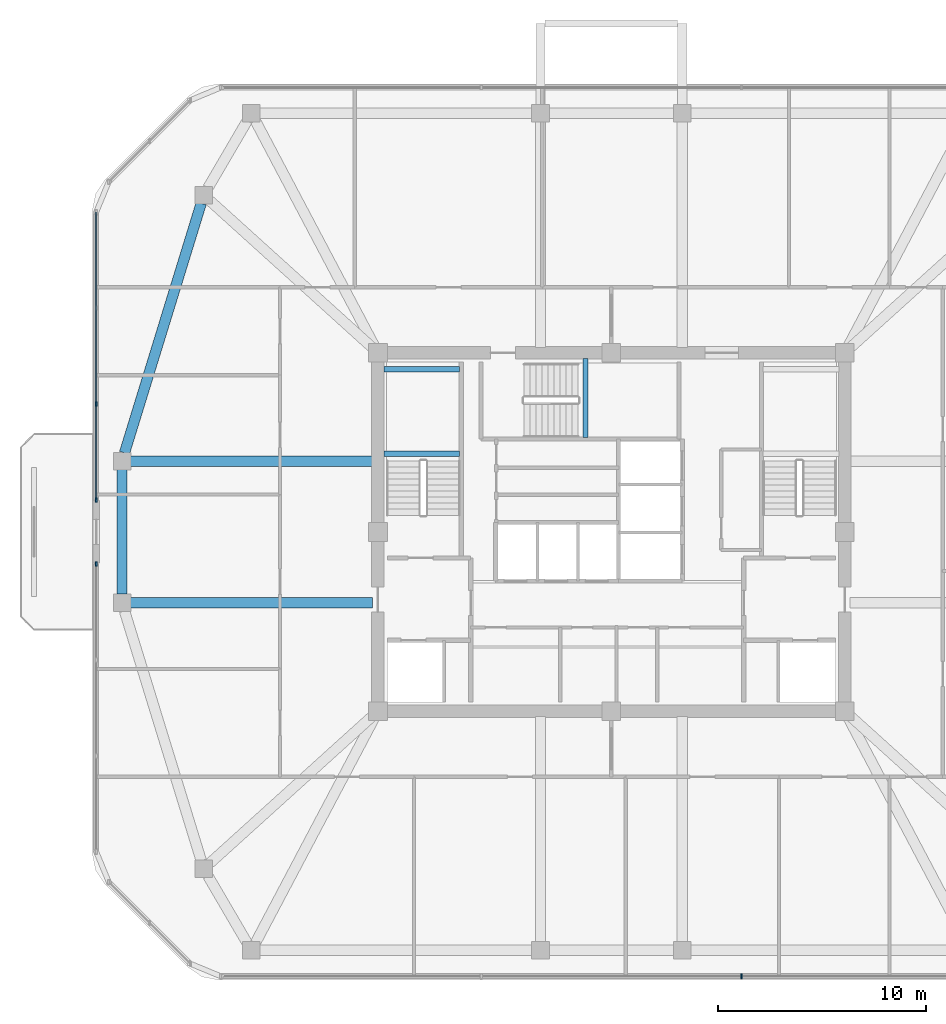
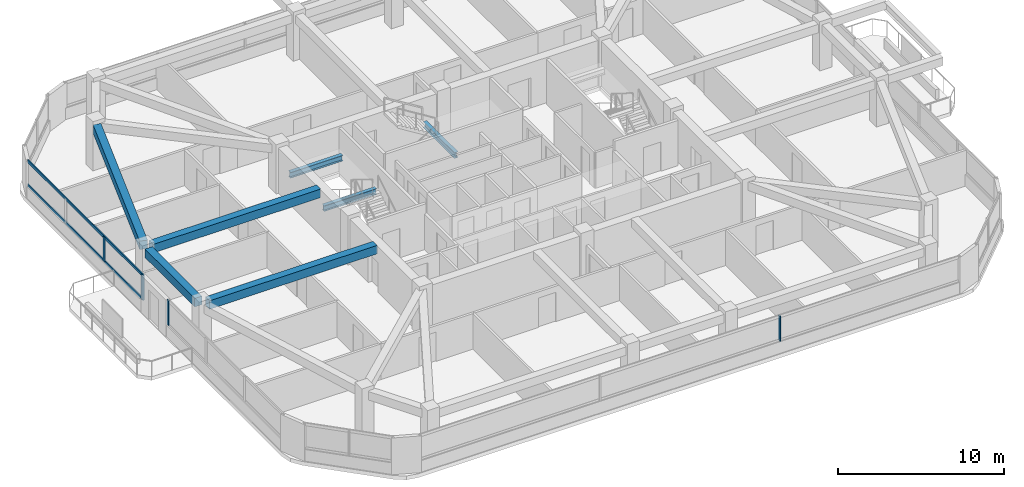
# One storey, part 4 of 14: 7 beams, 6 members, 3 elements without a shape of their own.
"""IFC4 building model written with IfcOpenShell, lengths in metres."""

from ifc_helpers import new_model, si_unit, derived_unit, direction, frame, origin, origin_2d, place, context, subcontext, project, spatial, rectangle, i_section, extrude, material, material_profile, profile_set, type_object, element, aggregate, save


model = new_model("IFC4")

# Units and contexts
model_context = context("Model", 3, precision=1e-05, world=origin(), true_north=direction((0.0, 1.0)))
body_context = subcontext(model_context, "Body", "Model", "MODEL_VIEW")
ifc_project = project(units=[si_unit("LENGTHUNIT", "METRE"), si_unit("AREAUNIT", "SQUARE_METRE"), si_unit("VOLUMEUNIT", "CUBIC_METRE"), si_unit("PLANEANGLEUNIT", "RADIAN"), si_unit("MASSUNIT", "GRAM", prefix="KILO"), derived_unit("THERMALTRANSMITTANCEUNIT", [(si_unit("POWERUNIT", "WATT"), 1), (si_unit("LENGTHUNIT", "METRE"), -2), (si_unit("THERMODYNAMICTEMPERATUREUNIT", "KELVIN"), -1)])], contexts=[model_context])

# Site, building, storey
site_placement = place(None, origin())
site = spatial("IfcSite", under=ifc_project, at=site_placement, CompositionType="ELEMENT")
building_placement = place(site_placement, origin())
building = spatial("IfcBuilding", under=site, at=building_placement, Name="Koralith Skygarden Medical Center", CompositionType="ELEMENT")
storey_placement = place(building_placement, frame((0.0, 0.0, 242.820068359375)))
storey = spatial("IfcBuildingStorey", under=building, at=storey_placement, Name="L62", CompositionType="ELEMENT", Elevation=242.820068359375)

# Curtain wall, member
ifc_material_1 = material(Name="Clear Laminated Glass", Category="glass")
curtain_wall_type = type_object("IfcCurtainWallType", Name="CW-6 Zone 5 Upper Clinical Curtain Wall", PredefinedType="NOTDEFINED", material=ifc_material_1)
curtain_wall_1_placement = place(storey_placement, origin())
curtain_wall_1 = element("IfcCurtainWall", 1, at=curtain_wall_1_placement, inside=storey, type_object=curtain_wall_type, Name="Curtain Wall CW-L62-S", PredefinedType="NOTDEFINED")
ifc_material_2 = material(Name="Aluminium 6063-T6", Category="aluminium")
ifc_material_profile_1 = material_profile(ifc_material_2, rectangle(XDim=0.0830078125, YDim=0.219970703125, at=origin_2d()), Name="MUL83X220")
ifc_profile_set_1 = profile_set([ifc_material_profile_1], Name="Aluminium 6063-T6")
member_type_1 = type_object("IfcMemberType", Name="CW-6 Extruded Mullion 83x220", PredefinedType="MULLION", material=ifc_profile_set_1)
member_1_placement = place(storey_placement, frame((43.248046875, 4.580078125, 0.849853515625), z_axis=(0.0, 0.0, 1.0), x_axis=(1.0, 0.0, 0.0)))
member_1 = element("IfcMember", 2, at=member_1_placement, type_object=member_type_1, Name="CW-L62-S Mullion 3", PredefinedType="MULLION", context=body_context, shape_type="SweptSolid", body=[
    extrude(rectangle(XDim=0.0830078125, YDim=0.219970703125, at=origin_2d()), origin(), (0.0, 0.0, 1.0), 1.840087890625),
])
aggregate(curtain_wall_1, [member_1])

# Curtain wall, members
curtain_wall_2_placement = place(storey_placement, origin())
curtain_wall_2 = element("IfcCurtainWall", 3, at=curtain_wall_2_placement, inside=storey, type_object=curtain_wall_type, Name="Curtain Wall CW-L62-W-L", PredefinedType="NOTDEFINED")
member_2_placement = place(storey_placement, frame((12.280029296875, 32.0419921875, 0.849853515625), z_axis=(0.0, 0.0, 1.0), x_axis=(1.0, 0.0, 0.0)))
member_2 = element("IfcMember", 4, at=member_2_placement, type_object=member_type_1, Name="CW-L62-W-L Mullion 3", PredefinedType="MULLION", context=body_context, shape_type="SweptSolid", body=[
    extrude(rectangle(XDim=0.0830078125, YDim=0.219970703125, at=origin_2d()), origin(), (0.0, 0.0, 1.0), 1.840087890625),
])
member_3_placement = place(storey_placement, frame((12.280029296875, 27.43994140625, 0.849853515625), z_axis=(0.0, 0.0, 1.0), x_axis=(1.0, 0.0, 0.0)))
member_3 = element("IfcMember", 5, at=member_3_placement, type_object=member_type_1, Name="CW-L62-W-L Mullion 4", PredefinedType="MULLION", context=body_context, shape_type="SweptSolid", body=[
    extrude(rectangle(XDim=0.0830078125, YDim=0.219970703125, at=origin_2d()), origin(), (0.0, 0.0, 1.0), 1.840087890625),
])

# Curtain wall, member
curtain_wall_3_placement = place(storey_placement, origin())
curtain_wall_3 = element("IfcCurtainWall", 6, at=curtain_wall_3_placement, inside=storey, type_object=curtain_wall_type, Name="Curtain Wall CW-L62-W-R", PredefinedType="NOTDEFINED")
member_4_placement = place(storey_placement, frame((12.280029296875, 24.360107421875, 0.849853515625), z_axis=(0.0, 0.0, 1.0), x_axis=(1.0, 0.0, 0.0)))
member_4 = element("IfcMember", 7, at=member_4_placement, type_object=member_type_1, Name="CW-L62-W-R Mullion 1", PredefinedType="MULLION", context=body_context, shape_type="SweptSolid", body=[
    extrude(rectangle(XDim=0.0830078125, YDim=0.219970703125, at=origin_2d()), origin(), (0.0, 0.0, 1.0), 1.840087890625),
])
aggregate(curtain_wall_3, [member_4])

# Member
ifc_material_profile_2 = material_profile(ifc_material_2, rectangle(XDim=0.077880859375, YDim=0.197998046875, at=origin_2d()), Name="TRN78X198")
ifc_profile_set_2 = profile_set([ifc_material_profile_2], Name="Aluminium 6063-T6")
member_type_2 = type_object("IfcMemberType", Name="CW-6 Thermal Transom 78x198", PredefinedType="USERDEFINED", material=ifc_profile_set_2)
member_5_placement = place(storey_placement, frame((12.280029296875, 41.2451171875, 0.89990234375), z_axis=(0.0, -1.0, 0.0), x_axis=(1.0, 0.0, 0.0)))
member_5 = element("IfcMember", 8, at=member_5_placement, type_object=member_type_2, Name="CW-L62-W-L Transom 1", ObjectType="TRANSOM", PredefinedType="USERDEFINED", context=body_context, shape_type="SweptSolid", body=[
    extrude(rectangle(XDim=0.077880859375, YDim=0.197998046875, at=origin_2d()), origin(), (0.0, 0.0, 1.0), 13.80517578125),
])

member_6_placement = place(storey_placement, frame((12.280029296875, 41.2451171875, 2.639892578125), z_axis=(0.0, -1.0, 0.0), x_axis=(1.0, 0.0, 0.0)))
member_6 = element("IfcMember", 9, at=member_6_placement, type_object=member_type_2, Name="CW-L62-W-L Transom 2", ObjectType="TRANSOM", PredefinedType="USERDEFINED", context=body_context, shape_type="SweptSolid", body=[
    extrude(rectangle(XDim=0.077880859375, YDim=0.197998046875, at=origin_2d()), origin(), (0.0, 0.0, 1.0), 13.80517578125),
])

aggregate(curtain_wall_2, [member_2, member_3, member_5, member_6])

# Beams
ifc_material_3 = material(Name="Steel ASTM A992 Grade 50", Category="steel")
ifc_material_profile_3 = material_profile(ifc_material_3, i_section(OverallWidth=0.260009765625, OverallDepth=0.4150390625, WebThickness=0.010009765625, FlangeThickness=0.016845703125, at=origin_2d()), Name="W16X67")
ifc_profile_set_3 = profile_set([ifc_material_profile_3], Name="Steel ASTM A992 Grade 50")
beam_type_1 = type_object("IfcBeamType", Name="Clinical Floor Joist W16X67", PredefinedType="JOIST", material=ifc_profile_set_3)
for number, where, z_axis, x_axis, name in (
    (10, (26.080078125, 29.659912109375, 1.392822265625), (1.0, 0.0, 0.0), (0.0, 1.0, 0.0), "L62 Stair ST1 Half-Landing Support Beam 1A"),
    (11, (26.080078125, 33.699951171875, 1.392822265625), (1.0, 0.0, 0.0), (0.0, 1.0, 0.0), "L62 Stair ST1 Half-Landing Support Beam 1B"),
):
    element("IfcBeam", number, at=place(storey_placement, frame(where, z_axis=z_axis, x_axis=x_axis)), inside=storey, type_object=beam_type_1, Name=name, PredefinedType="JOIST", context=body_context, shape_type="SweptSolid", body=[
        extrude(i_section(OverallWidth=0.260009765625, OverallDepth=0.4150390625, WebThickness=0.010009765625, FlangeThickness=0.016845703125, at=origin_2d()), origin(), (0.0, 0.0, 1.0), 3.639892578125),
    ])
beam_1_placement = place(storey_placement, frame((35.760009765625, 30.43994140625, 1.392822265625), z_axis=(0.0, 1.0, 0.0), x_axis=(-1.0, 0.0, 0.0)))
element("IfcBeam", 12, at=beam_1_placement, inside=storey, type_object=beam_type_1, Name="L62 Stair ST3 Half-Landing Support Beam 1A", PredefinedType="JOIST", context=body_context, shape_type="SweptSolid", body=[
    extrude(i_section(OverallWidth=0.260009765625, OverallDepth=0.4150390625, WebThickness=0.010009765625, FlangeThickness=0.016845703125, at=origin_2d()), origin(), (0.0, 0.0, 1.0), 3.780029296875),
])
ifc_material_4 = material(Name="Concrete C45/55", Category="concrete")
ifc_material_profile_4 = material_profile(ifc_material_4, rectangle(XDim=0.5, YDim=0.6201171875, at=origin_2d()), Name="RCB500X620")
ifc_profile_set_4 = profile_set([ifc_material_profile_4], Name="Concrete C45/55")
beam_type_2 = type_object("IfcBeamType", Name="Upper Radial Collector Beam RCB500X620", PredefinedType="BEAM", material=ifc_profile_set_4)
for number, where, z_axis, x_axis, name in (
    (13, (25.550048828125, 22.5, 3.010009765625), (-1.0, 0.0, 0.0), (0.0, -1.0, 0.0), "L62 Radial Collector Beam RB-01"),
    (14, (25.550048828125, 29.300048828125, 3.010009765625), (-1.0, 0.0, 0.0), (0.0, -1.0, 0.0), "L62 Radial Collector Beam RB-16"),
):
    element("IfcBeam", number, at=place(storey_placement, frame(where, z_axis=z_axis, x_axis=x_axis)), inside=storey, type_object=beam_type_2, Name=name, PredefinedType="BEAM", context=body_context, shape_type="SweptSolid", body=[
        extrude(rectangle(XDim=0.5, YDim=0.6201171875, at=origin_2d()), origin(), (0.0, 0.0, 1.0), 11.6201171875),
    ])
ifc_material_profile_5 = material_profile(ifc_material_4, rectangle(XDim=0.5, YDim=0.6201171875, at=origin_2d()), Name="RCB500X620")
ifc_profile_set_5 = profile_set([ifc_material_profile_5], Name="Concrete C45/55")
beam_type_3 = type_object("IfcBeamType", Name="Zone 4-5 Spandrel Beam RCB500X620", PredefinedType="SPANDREL", material=ifc_profile_set_5)
beam_2_placement = place(storey_placement, frame((17.320068359375, 41.66796875, 3.010009765625), z_axis=(-0.293738023424, -0.955885962652, 0.0), x_axis=(0.955885962652, -0.293738023424, 0.0)))
element("IfcBeam", 15, at=beam_2_placement, inside=storey, type_object=beam_type_3, Name="L62 Perimeter Spandrel Beam SP-15", PredefinedType="SPANDREL", context=body_context, shape_type="SweptSolid", body=[
    extrude(rectangle(XDim=0.5, YDim=0.6201171875, at=origin_2d()), origin(), (0.0, 0.0, 1.0), 12.52880859375),
])
beam_3_placement = place(storey_placement, frame((13.52001953125, 28.889892578125, 3.010009765625), z_axis=(0.0, -1.0, 0.0), x_axis=(1.0, 0.0, 0.0)))
element("IfcBeam", 16, at=beam_3_placement, inside=storey, type_object=beam_type_3, Name="L62 Perimeter Spandrel Beam SP-16", PredefinedType="SPANDREL", context=body_context, shape_type="SweptSolid", body=[
    extrude(rectangle(XDim=0.5, YDim=0.6201171875, at=origin_2d()), origin(), (0.0, 0.0, 1.0), 5.97998046875),
])

save(model, "model.ifc")
